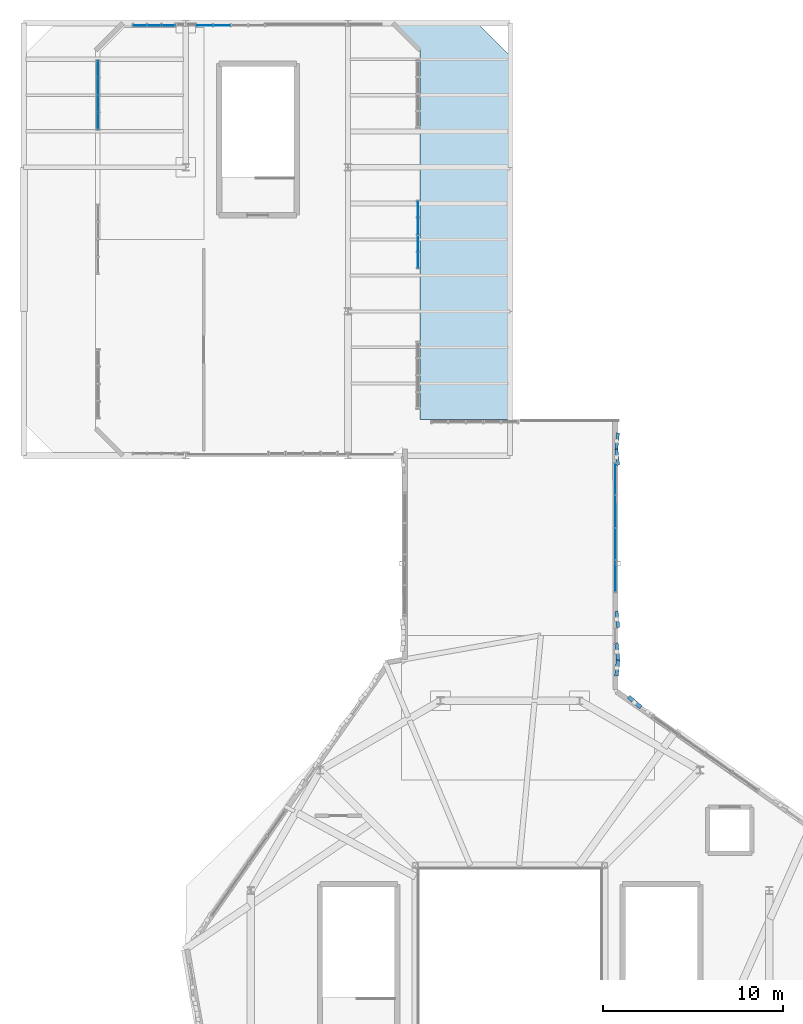
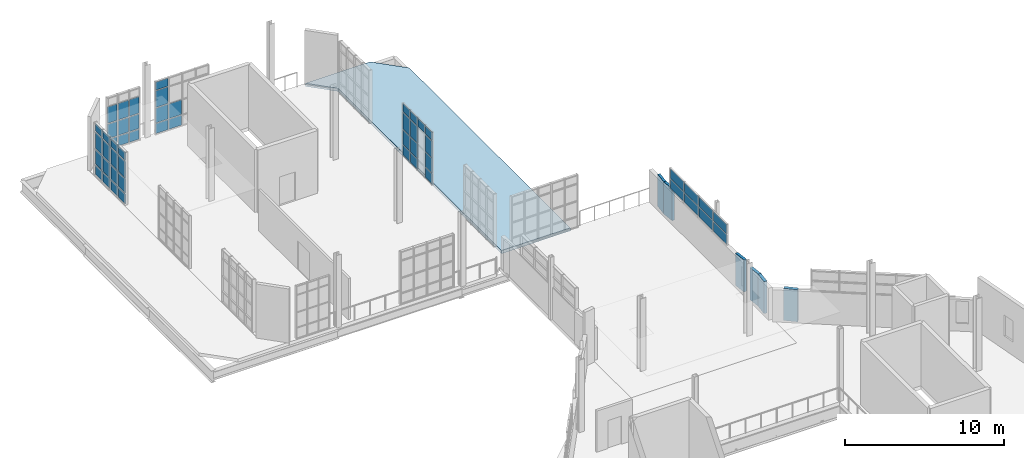
# One storey, part 30 of 36: 58 plates, 1 slab, 5 elements without a shape of their own.
"""IFC4 building model written with IfcOpenShell, lengths in metres."""

from ifc_helpers import new_model, si_unit, direction, frame, frame_2d, origin, origin_2d, place, context, subcontext, project, spatial, polyline, rectangle, outline, extrude, material, layer, layer_set, type_object, element, aggregate, save


model = new_model("IFC4")

# Units and contexts
model_context = context("Model", 3, precision=1e-05, world=origin(), true_north=direction((0.0, 1.0)))
body_context = subcontext(model_context, "Body", "Model", "MODEL_VIEW")
ifc_project = project(units=[si_unit("LENGTHUNIT", "METRE"), si_unit("AREAUNIT", "SQUARE_METRE"), si_unit("VOLUMEUNIT", "CUBIC_METRE"), si_unit("PLANEANGLEUNIT", "RADIAN"), si_unit("MASSUNIT", "GRAM", prefix="KILO"), si_unit("THERMODYNAMICTEMPERATUREUNIT", "KELVIN"), si_unit("POWERUNIT", "WATT")], contexts=[model_context])

# Site, building, storey
site_placement = place(None, origin())
site = spatial("IfcSite", under=ifc_project, at=site_placement, CompositionType="ELEMENT")
building_placement = place(site_placement, origin())
building = spatial("IfcBuilding", under=site, at=building_placement, Name="Zelmaris Science Centre", CompositionType="ELEMENT")
storey_placement = place(building_placement, frame((0.0, 0.0, 25.199951171875)))
storey = spatial("IfcBuildingStorey", under=building, at=storey_placement, Name="L05", CompositionType="ELEMENT", Elevation=25.199951171875)

# Curtain wall, plates
ifc_material_1 = material(Name="Anodised architectural aluminium 6063-T6", Category="aluminium")
ifc_layer_1 = layer(ifc_material_1, 0.18994140625, Name="Anodised architectural aluminium 6063-T6")
ifc_layer_set_1 = layer_set([ifc_layer_1], Name="Anodised architectural aluminium 6063-T6")
curtain_wall_type_1 = type_object("IfcCurtainWallType", Name="Curtain Wall CW-01", PredefinedType="USERDEFINED", material=ifc_layer_set_1)
curtain_wall_1_placement = place(storey_placement, origin())
curtain_wall_1 = element("IfcCurtainWall", 1, at=curtain_wall_1_placement, inside=storey, type_object=curtain_wall_type_1, Name="L05 Unitised curtain wall 381", ObjectType="GLAZED CURTAIN WALL", PredefinedType="USERDEFINED")
ifc_material_2 = material(Name="Laminated hurricane-rated low-E insulated glazing", Category="glass")
ifc_layer_2 = layer(ifc_material_2, 0.031982421875, Name="Laminated hurricane-rated low-E insulated glazing")
ifc_layer_set_2 = layer_set([ifc_layer_2], Name="Laminated hurricane-rated low-E insulated glazing")
plate_type_1 = type_object("IfcPlateType", Name="Curtain Glazing Panel CWP-1 32mm", PredefinedType="CURTAIN_PANEL", material=ifc_layer_set_2)
plate_1_placement = place(storey_placement, frame((58.1201171875, 82.57470703125, 0.05712890625), z_axis=(0.0, 0.0, 1.0), x_axis=(0.0, 1.0, 0.0)))
plate_1 = element("IfcPlate", 2, at=plate_1_placement, type_object=plate_type_1, Name="CW-01 panel 1.1", PredefinedType="CURTAIN_PANEL", context=body_context, shape_type="SweptSolid", body=[
    extrude(rectangle(XDim=0.864013671875, YDim=0.031982421875, at=origin_2d()), origin(), (0.0, 0.0, 1.0), 0.741943359375),
])
plate_2_placement = place(storey_placement, frame((58.1201171875, 82.57470703125, 0.87109375), z_axis=(0.0, 0.0, 1.0), x_axis=(0.0, 1.0, 0.0)))
plate_2 = element("IfcPlate", 3, at=plate_2_placement, type_object=plate_type_1, Name="CW-01 panel 1.2", PredefinedType="CURTAIN_PANEL", context=body_context, shape_type="SweptSolid", body=[
    extrude(rectangle(XDim=0.864013671875, YDim=0.031982421875, at=origin_2d()), origin(), (0.0, 0.0, 1.0), 1.10546875),
])
plate_3_placement = place(storey_placement, frame((58.1201171875, 82.57470703125, 2.04833984375), z_axis=(0.0, 0.0, 1.0), x_axis=(0.0, 1.0, 0.0)))
plate_3 = element("IfcPlate", 4, at=plate_3_placement, type_object=plate_type_1, Name="CW-01 panel 1.3", PredefinedType="CURTAIN_PANEL", context=body_context, shape_type="SweptSolid", body=[
    extrude(rectangle(XDim=0.864013671875, YDim=0.031982421875, at=origin_2d()), origin(), (0.0, 0.0, 1.0), 1.255615234375),
])
plate_4_placement = place(storey_placement, frame((58.1201171875, 82.57470703125, 3.3759765625), z_axis=(0.0, 0.0, 1.0), x_axis=(0.0, 1.0, 0.0)))
plate_4 = element("IfcPlate", 5, at=plate_4_placement, type_object=plate_type_1, Name="CW-01 panel 1.4", PredefinedType="CURTAIN_PANEL", context=body_context, shape_type="SweptSolid", body=[
    extrude(rectangle(XDim=0.864013671875, YDim=0.031982421875, at=origin_2d()), origin(), (0.0, 0.0, 1.0), 0.592041015625),
])
plate_5_placement = place(storey_placement, frame((58.1201171875, 83.52880859375, 0.05712890625), z_axis=(0.0, 0.0, 1.0), x_axis=(0.0, 1.0, 0.0)))
plate_5 = element("IfcPlate", 6, at=plate_5_placement, type_object=plate_type_1, Name="CW-01 panel 2.1", PredefinedType="CURTAIN_PANEL", context=body_context, shape_type="SweptSolid", body=[
    extrude(rectangle(XDim=0.89990234375, YDim=0.031982421875, at=origin_2d()), origin(), (0.0, 0.0, 1.0), 0.741943359375),
])
plate_6_placement = place(storey_placement, frame((58.1201171875, 83.52880859375, 0.87109375), z_axis=(0.0, 0.0, 1.0), x_axis=(0.0, 1.0, 0.0)))
plate_6 = element("IfcPlate", 7, at=plate_6_placement, type_object=plate_type_1, Name="CW-01 panel 2.2", PredefinedType="CURTAIN_PANEL", context=body_context, shape_type="SweptSolid", body=[
    extrude(rectangle(XDim=0.89990234375, YDim=0.031982421875, at=origin_2d()), origin(), (0.0, 0.0, 1.0), 1.10546875),
])
plate_7_placement = place(storey_placement, frame((58.1201171875, 83.52880859375, 2.04833984375), z_axis=(0.0, 0.0, 1.0), x_axis=(0.0, 1.0, 0.0)))
plate_7 = element("IfcPlate", 8, at=plate_7_placement, type_object=plate_type_1, Name="CW-01 panel 2.3", PredefinedType="CURTAIN_PANEL", context=body_context, shape_type="SweptSolid", body=[
    extrude(rectangle(XDim=0.89990234375, YDim=0.031982421875, at=origin_2d()), origin(), (0.0, 0.0, 1.0), 1.255615234375),
])
plate_8_placement = place(storey_placement, frame((58.1201171875, 83.52880859375, 3.3759765625), z_axis=(0.0, 0.0, 1.0), x_axis=(0.0, 1.0, 0.0)))
plate_8 = element("IfcPlate", 9, at=plate_8_placement, type_object=plate_type_1, Name="CW-01 panel 2.4", PredefinedType="CURTAIN_PANEL", context=body_context, shape_type="SweptSolid", body=[
    extrude(rectangle(XDim=0.89990234375, YDim=0.031982421875, at=origin_2d()), origin(), (0.0, 0.0, 1.0), 0.592041015625),
])
plate_9_placement = place(storey_placement, frame((58.1201171875, 84.500732421875, 0.05712890625), z_axis=(0.0, 0.0, 1.0), x_axis=(0.0, 1.0, 0.0)))
plate_9 = element("IfcPlate", 10, at=plate_9_placement, type_object=plate_type_1, Name="CW-01 panel 3.1", PredefinedType="CURTAIN_PANEL", context=body_context, shape_type="SweptSolid", body=[
    extrude(rectangle(XDim=0.89990234375, YDim=0.031982421875, at=origin_2d()), origin(), (0.0, 0.0, 1.0), 0.741943359375),
])
plate_10_placement = place(storey_placement, frame((58.1201171875, 84.500732421875, 0.87109375), z_axis=(0.0, 0.0, 1.0), x_axis=(0.0, 1.0, 0.0)))
plate_10 = element("IfcPlate", 11, at=plate_10_placement, type_object=plate_type_1, Name="CW-01 panel 3.2", PredefinedType="CURTAIN_PANEL", context=body_context, shape_type="SweptSolid", body=[
    extrude(rectangle(XDim=0.89990234375, YDim=0.031982421875, at=origin_2d()), origin(), (0.0, 0.0, 1.0), 1.10546875),
])
plate_11_placement = place(storey_placement, frame((58.1201171875, 84.500732421875, 2.04833984375), z_axis=(0.0, 0.0, 1.0), x_axis=(0.0, 1.0, 0.0)))
plate_11 = element("IfcPlate", 12, at=plate_11_placement, type_object=plate_type_1, Name="CW-01 panel 3.3", PredefinedType="CURTAIN_PANEL", context=body_context, shape_type="SweptSolid", body=[
    extrude(rectangle(XDim=0.89990234375, YDim=0.031982421875, at=origin_2d()), origin(), (0.0, 0.0, 1.0), 1.255615234375),
])
plate_12_placement = place(storey_placement, frame((58.1201171875, 84.500732421875, 3.3759765625), z_axis=(0.0, 0.0, 1.0), x_axis=(0.0, 1.0, 0.0)))
plate_12 = element("IfcPlate", 13, at=plate_12_placement, type_object=plate_type_1, Name="CW-01 panel 3.4", PredefinedType="CURTAIN_PANEL", context=body_context, shape_type="SweptSolid", body=[
    extrude(rectangle(XDim=0.89990234375, YDim=0.031982421875, at=origin_2d()), origin(), (0.0, 0.0, 1.0), 0.592041015625),
])
plate_13_placement = place(storey_placement, frame((58.1201171875, 85.45458984375, 0.05712890625), z_axis=(0.0, 0.0, 1.0), x_axis=(0.0, 1.0, 0.0)))
plate_13 = element("IfcPlate", 14, at=plate_13_placement, type_object=plate_type_1, Name="CW-01 panel 4.1", PredefinedType="CURTAIN_PANEL", context=body_context, shape_type="SweptSolid", body=[
    extrude(rectangle(XDim=0.864013671875, YDim=0.031982421875, at=origin_2d()), origin(), (0.0, 0.0, 1.0), 0.741943359375),
])
plate_14_placement = place(storey_placement, frame((58.1201171875, 85.45458984375, 0.87109375), z_axis=(0.0, 0.0, 1.0), x_axis=(0.0, 1.0, 0.0)))
plate_14 = element("IfcPlate", 15, at=plate_14_placement, type_object=plate_type_1, Name="CW-01 panel 4.2", PredefinedType="CURTAIN_PANEL", context=body_context, shape_type="SweptSolid", body=[
    extrude(rectangle(XDim=0.864013671875, YDim=0.031982421875, at=origin_2d()), origin(), (0.0, 0.0, 1.0), 1.10546875),
])
plate_15_placement = place(storey_placement, frame((58.1201171875, 85.45458984375, 2.04833984375), z_axis=(0.0, 0.0, 1.0), x_axis=(0.0, 1.0, 0.0)))
plate_15 = element("IfcPlate", 16, at=plate_15_placement, type_object=plate_type_1, Name="CW-01 panel 4.3", PredefinedType="CURTAIN_PANEL", context=body_context, shape_type="SweptSolid", body=[
    extrude(rectangle(XDim=0.864013671875, YDim=0.031982421875, at=origin_2d()), origin(), (0.0, 0.0, 1.0), 1.255615234375),
])
plate_16_placement = place(storey_placement, frame((58.1201171875, 85.45458984375, 3.3759765625), z_axis=(0.0, 0.0, 1.0), x_axis=(0.0, 1.0, 0.0)))
plate_16 = element("IfcPlate", 17, at=plate_16_placement, type_object=plate_type_1, Name="CW-01 panel 4.4", PredefinedType="CURTAIN_PANEL", context=body_context, shape_type="SweptSolid", body=[
    extrude(rectangle(XDim=0.864013671875, YDim=0.031982421875, at=origin_2d()), origin(), (0.0, 0.0, 1.0), 0.592041015625),
])
aggregate(curtain_wall_1, [plate_1, plate_2, plate_3, plate_4, plate_5, plate_6, plate_7, plate_8, plate_9, plate_10, plate_11, plate_12, plate_13, plate_14, plate_15, plate_16])

ifc_layer_3 = layer(ifc_material_1, 0.199951171875, Name="Anodised architectural aluminium 6063-T6")
ifc_layer_set_3 = layer_set([ifc_layer_3], Name="Anodised architectural aluminium 6063-T6")
curtain_wall_type_2 = type_object("IfcCurtainWallType", Name="Curtain Wall CW-02", PredefinedType="USERDEFINED", material=ifc_layer_set_3)
curtain_wall_2_placement = place(storey_placement, origin())
curtain_wall_2 = element("IfcCurtainWall", 18, at=curtain_wall_2_placement, inside=storey, type_object=curtain_wall_type_2, Name="L05 Unitised curtain wall 358", ObjectType="GLAZED CURTAIN WALL", PredefinedType="USERDEFINED")
ifc_layer_4 = layer(ifc_material_2, 0.028076171875, Name="Laminated hurricane-rated low-E insulated glazing")
ifc_layer_set_4 = layer_set([ifc_layer_4], Name="Laminated hurricane-rated low-E insulated glazing")
plate_type_2 = type_object("IfcPlateType", Name="Curtain Glazing Panel CWP-2 28mm", PredefinedType="CURTAIN_PANEL", material=ifc_layer_set_4)
plate_17_placement = place(storey_placement, frame((60.46142578125, 87.8798828125, 0.052001953125), z_axis=(0.0, 0.0, 1.0), x_axis=(1.0, 0.0, 0.0)))
plate_17 = element("IfcPlate", 19, at=plate_17_placement, type_object=plate_type_2, Name="CW-02 panel 1.1", PredefinedType="CURTAIN_PANEL", context=body_context, shape_type="SweptSolid", body=[
    extrude(rectangle(XDim=0.70556640625, YDim=0.028076171875, at=origin_2d()), origin(), (0.0, 0.0, 1.0), 0.74951171875),
])
plate_18_placement = place(storey_placement, frame((60.46142578125, 87.8798828125, 0.86865234375), z_axis=(0.0, 0.0, 1.0), x_axis=(1.0, 0.0, 0.0)))
plate_18 = element("IfcPlate", 20, at=plate_18_placement, type_object=plate_type_2, Name="CW-02 panel 1.2", PredefinedType="CURTAIN_PANEL", context=body_context, shape_type="SweptSolid", body=[
    extrude(rectangle(XDim=0.70556640625, YDim=0.028076171875, at=origin_2d()), origin(), (0.0, 0.0, 1.0), 1.110595703125),
])
plate_19_placement = place(storey_placement, frame((60.46142578125, 87.8798828125, 2.0458984375), z_axis=(0.0, 0.0, 1.0), x_axis=(1.0, 0.0, 0.0)))
plate_19 = element("IfcPlate", 21, at=plate_19_placement, type_object=plate_type_2, Name="CW-02 panel 1.3", PredefinedType="CURTAIN_PANEL", context=body_context, shape_type="SweptSolid", body=[
    extrude(rectangle(XDim=0.70556640625, YDim=0.028076171875, at=origin_2d()), origin(), (0.0, 0.0, 1.0), 1.260498046875),
])
plate_20_placement = place(storey_placement, frame((61.250732421875, 87.8798828125, 0.052001953125), z_axis=(0.0, 0.0, 1.0), x_axis=(1.0, 0.0, 0.0)))
plate_20 = element("IfcPlate", 22, at=plate_20_placement, type_object=plate_type_2, Name="CW-02 panel 2.1", PredefinedType="CURTAIN_PANEL", context=body_context, shape_type="SweptSolid", body=[
    extrude(rectangle(XDim=0.7392578125, YDim=0.028076171875, at=origin_2d()), origin(), (0.0, 0.0, 1.0), 0.74951171875),
])
plate_21_placement = place(storey_placement, frame((61.250732421875, 87.8798828125, 0.86865234375), z_axis=(0.0, 0.0, 1.0), x_axis=(1.0, 0.0, 0.0)))
plate_21 = element("IfcPlate", 23, at=plate_21_placement, type_object=plate_type_2, Name="CW-02 panel 2.2", PredefinedType="CURTAIN_PANEL", context=body_context, shape_type="SweptSolid", body=[
    extrude(rectangle(XDim=0.7392578125, YDim=0.028076171875, at=origin_2d()), origin(), (0.0, 0.0, 1.0), 1.110595703125),
])
plate_22_placement = place(storey_placement, frame((61.250732421875, 87.8798828125, 2.0458984375), z_axis=(0.0, 0.0, 1.0), x_axis=(1.0, 0.0, 0.0)))
plate_22 = element("IfcPlate", 24, at=plate_22_placement, type_object=plate_type_2, Name="CW-02 panel 2.3", PredefinedType="CURTAIN_PANEL", context=body_context, shape_type="SweptSolid", body=[
    extrude(rectangle(XDim=0.7392578125, YDim=0.028076171875, at=origin_2d()), origin(), (0.0, 0.0, 1.0), 1.260498046875),
])
plate_23_placement = place(storey_placement, frame((62.040283203125, 87.8798828125, 0.052001953125), z_axis=(0.0, 0.0, 1.0), x_axis=(1.0, 0.0, 0.0)))
plate_23 = element("IfcPlate", 25, at=plate_23_placement, type_object=plate_type_2, Name="CW-02 panel 3.1", PredefinedType="CURTAIN_PANEL", context=body_context, shape_type="SweptSolid", body=[
    extrude(rectangle(XDim=0.70556640625, YDim=0.028076171875, at=origin_2d()), origin(), (0.0, 0.0, 1.0), 0.74951171875),
])
plate_24_placement = place(storey_placement, frame((62.040283203125, 87.8798828125, 0.86865234375), z_axis=(0.0, 0.0, 1.0), x_axis=(1.0, 0.0, 0.0)))
plate_24 = element("IfcPlate", 26, at=plate_24_placement, type_object=plate_type_2, Name="CW-02 panel 3.2", PredefinedType="CURTAIN_PANEL", context=body_context, shape_type="SweptSolid", body=[
    extrude(rectangle(XDim=0.70556640625, YDim=0.028076171875, at=origin_2d()), origin(), (0.0, 0.0, 1.0), 1.110595703125),
])
plate_25_placement = place(storey_placement, frame((62.040283203125, 87.8798828125, 2.0458984375), z_axis=(0.0, 0.0, 1.0), x_axis=(1.0, 0.0, 0.0)))
plate_25 = element("IfcPlate", 27, at=plate_25_placement, type_object=plate_type_2, Name="CW-02 panel 3.3", PredefinedType="CURTAIN_PANEL", context=body_context, shape_type="SweptSolid", body=[
    extrude(rectangle(XDim=0.70556640625, YDim=0.028076171875, at=origin_2d()), origin(), (0.0, 0.0, 1.0), 1.260498046875),
])
aggregate(curtain_wall_2, [plate_17, plate_18, plate_19, plate_20, plate_21, plate_22, plate_23, plate_24, plate_25])

ifc_layer_5 = layer(ifc_material_1, 0.2099609375, Name="Anodised architectural aluminium 6063-T6")
ifc_layer_set_5 = layer_set([ifc_layer_5], Name="Anodised architectural aluminium 6063-T6")
curtain_wall_type_3 = type_object("IfcCurtainWallType", Name="Curtain Wall CW-03", PredefinedType="USERDEFINED", material=ifc_layer_set_5)
curtain_wall_3_placement = place(storey_placement, origin())
curtain_wall_3 = element("IfcCurtainWall", 28, at=curtain_wall_3_placement, inside=storey, type_object=curtain_wall_type_3, Name="L05 Unitised curtain wall 359", ObjectType="GLAZED CURTAIN WALL", PredefinedType="USERDEFINED")
ifc_layer_6 = layer(ifc_material_2, 0.02587890625, Name="Laminated hurricane-rated low-E insulated glazing")
ifc_layer_set_6 = layer_set([ifc_layer_6], Name="Laminated hurricane-rated low-E insulated glazing")
plate_type_3 = type_object("IfcPlateType", Name="Curtain Glazing Panel CWP-3 26mm", PredefinedType="CURTAIN_PANEL", material=ifc_layer_set_6)
plate_26_placement = place(storey_placement, frame((64.041748046875, 87.8798828125, 0.0419921875), z_axis=(0.0, 0.0, 1.0), x_axis=(1.0, 0.0, 0.0)))
plate_26 = element("IfcPlate", 29, at=plate_26_placement, type_object=plate_type_3, Name="CW-03 panel 1.1", PredefinedType="CURTAIN_PANEL", context=body_context, shape_type="SweptSolid", body=[
    extrude(rectangle(XDim=0.889404296875, YDim=0.02587890625, at=origin_2d()), origin(), (0.0, 0.0, 1.0), 0.764404296875),
])
plate_27_placement = place(storey_placement, frame((64.041748046875, 87.8798828125, 0.863525390625), z_axis=(0.0, 0.0, 1.0), x_axis=(1.0, 0.0, 0.0)))
plate_27 = element("IfcPlate", 30, at=plate_27_placement, type_object=plate_type_3, Name="CW-03 panel 1.2", PredefinedType="CURTAIN_PANEL", context=body_context, shape_type="SweptSolid", body=[
    extrude(rectangle(XDim=0.889404296875, YDim=0.02587890625, at=origin_2d()), origin(), (0.0, 0.0, 1.0), 1.12060546875),
])
plate_28_placement = place(storey_placement, frame((64.041748046875, 87.8798828125, 2.041015625), z_axis=(0.0, 0.0, 1.0), x_axis=(1.0, 0.0, 0.0)))
plate_28 = element("IfcPlate", 31, at=plate_28_placement, type_object=plate_type_3, Name="CW-03 panel 1.3", PredefinedType="CURTAIN_PANEL", context=body_context, shape_type="SweptSolid", body=[
    extrude(rectangle(XDim=0.889404296875, YDim=0.02587890625, at=origin_2d()), origin(), (0.0, 0.0, 1.0), 1.2705078125),
])
plate_29_placement = place(storey_placement, frame((64.041748046875, 87.8798828125, 3.36865234375), z_axis=(0.0, 0.0, 1.0), x_axis=(1.0, 0.0, 0.0)))
plate_29 = element("IfcPlate", 32, at=plate_29_placement, type_object=plate_type_3, Name="CW-03 panel 1.4", PredefinedType="CURTAIN_PANEL", context=body_context, shape_type="SweptSolid", body=[
    extrude(rectangle(XDim=0.889404296875, YDim=0.02587890625, at=origin_2d()), origin(), (0.0, 0.0, 1.0), 0.614501953125),
])
plate_30_placement = place(storey_placement, frame((65.00244140625, 87.8798828125, 0.0419921875), z_axis=(0.0, 0.0, 1.0), x_axis=(1.0, 0.0, 0.0)))
plate_30 = element("IfcPlate", 33, at=plate_30_placement, type_object=plate_type_3, Name="CW-03 panel 2.1", PredefinedType="CURTAIN_PANEL", context=body_context, shape_type="SweptSolid", body=[
    extrude(rectangle(XDim=0.91796875, YDim=0.02587890625, at=origin_2d()), origin(), (0.0, 0.0, 1.0), 0.764404296875),
])
plate_31_placement = place(storey_placement, frame((65.00244140625, 87.8798828125, 0.863525390625), z_axis=(0.0, 0.0, 1.0), x_axis=(1.0, 0.0, 0.0)))
plate_31 = element("IfcPlate", 34, at=plate_31_placement, type_object=plate_type_3, Name="CW-03 panel 2.2", PredefinedType="CURTAIN_PANEL", context=body_context, shape_type="SweptSolid", body=[
    extrude(rectangle(XDim=0.91796875, YDim=0.02587890625, at=origin_2d()), origin(), (0.0, 0.0, 1.0), 1.12060546875),
])
aggregate(curtain_wall_3, [plate_26, plate_27, plate_28, plate_29, plate_30, plate_31])

curtain_wall_4_placement = place(storey_placement, origin())
curtain_wall_4 = element("IfcCurtainWall", 35, at=curtain_wall_4_placement, inside=storey, type_object=curtain_wall_type_3, Name="L05 Unitised curtain wall 363", ObjectType="GLAZED CURTAIN WALL", PredefinedType="USERDEFINED")
plate_32_placement = place(storey_placement, frame((75.882568359375, 77.67041015625, 0.0419921875), z_axis=(0.0, 0.0, 1.0), x_axis=(0.00039662601, -0.999999921344, 0.0)))
plate_32 = element("IfcPlate", 36, at=plate_32_placement, type_object=plate_type_3, Name="CW-03 panel 1.1", PredefinedType="CURTAIN_PANEL", context=body_context, shape_type="SweptSolid", body=[
    extrude(rectangle(XDim=0.85986328125, YDim=0.02587890625, at=origin_2d()), origin(), (0.0, 0.0, 1.0), 0.764404296875),
])
plate_33_placement = place(storey_placement, frame((75.882568359375, 77.67041015625, 0.863525390625), z_axis=(0.0, 0.0, 1.0), x_axis=(0.00039662601, -0.999999921344, 0.0)))
plate_33 = element("IfcPlate", 37, at=plate_33_placement, type_object=plate_type_3, Name="CW-03 panel 1.2", PredefinedType="CURTAIN_PANEL", context=body_context, shape_type="SweptSolid", body=[
    extrude(rectangle(XDim=0.85986328125, YDim=0.02587890625, at=origin_2d()), origin(), (0.0, 0.0, 1.0), 1.12060546875),
])
plate_34_placement = place(storey_placement, frame((75.882568359375, 77.67041015625, 2.041015625), z_axis=(0.0, 0.0, 1.0), x_axis=(0.00039662601, -0.999999921344, 0.0)))
plate_34 = element("IfcPlate", 38, at=plate_34_placement, type_object=plate_type_3, Name="CW-03 panel 1.3", PredefinedType="CURTAIN_PANEL", context=body_context, shape_type="SweptSolid", body=[
    extrude(rectangle(XDim=0.85986328125, YDim=0.02587890625, at=origin_2d()), origin(), (0.0, 0.0, 1.0), 1.2705078125),
])
plate_35_placement = place(storey_placement, frame((75.882568359375, 77.67041015625, 3.36865234375), z_axis=(0.0, 0.0, 1.0), x_axis=(0.00039662601, -0.999999921344, 0.0)))
plate_35 = element("IfcPlate", 39, at=plate_35_placement, type_object=plate_type_3, Name="CW-03 panel 1.4", PredefinedType="CURTAIN_PANEL", context=body_context, shape_type="SweptSolid", body=[
    extrude(rectangle(XDim=0.85986328125, YDim=0.02587890625, at=origin_2d()), origin(), (0.0, 0.0, 1.0), 0.614501953125),
])
plate_36_placement = place(storey_placement, frame((75.8828125, 76.739013671875, 0.0419921875), z_axis=(0.0, 0.0, 1.0), x_axis=(0.00039662601, -0.999999921344, 0.0)))
plate_36 = element("IfcPlate", 40, at=plate_36_placement, type_object=plate_type_3, Name="CW-03 panel 2.1", PredefinedType="CURTAIN_PANEL", context=body_context, shape_type="SweptSolid", body=[
    extrude(rectangle(XDim=0.888427734375, YDim=0.02587890625, at=origin_2d()), origin(), (0.0, 0.0, 1.0), 0.764404296875),
])
plate_37_placement = place(storey_placement, frame((75.8828125, 76.739013671875, 0.863525390625), z_axis=(0.0, 0.0, 1.0), x_axis=(0.00039662601, -0.999999921344, 0.0)))
plate_37 = element("IfcPlate", 41, at=plate_37_placement, type_object=plate_type_3, Name="CW-03 panel 2.2", PredefinedType="CURTAIN_PANEL", context=body_context, shape_type="SweptSolid", body=[
    extrude(rectangle(XDim=0.888427734375, YDim=0.02587890625, at=origin_2d()), origin(), (0.0, 0.0, 1.0), 1.12060546875),
])
plate_38_placement = place(storey_placement, frame((75.8828125, 76.739013671875, 2.041015625), z_axis=(0.0, 0.0, 1.0), x_axis=(0.00039662601, -0.999999921344, 0.0)))
plate_38 = element("IfcPlate", 42, at=plate_38_placement, type_object=plate_type_3, Name="CW-03 panel 2.3", PredefinedType="CURTAIN_PANEL", context=body_context, shape_type="SweptSolid", body=[
    extrude(rectangle(XDim=0.888427734375, YDim=0.02587890625, at=origin_2d()), origin(), (0.0, 0.0, 1.0), 1.2705078125),
])
plate_39_placement = place(storey_placement, frame((75.8828125, 76.739013671875, 3.36865234375), z_axis=(0.0, 0.0, 1.0), x_axis=(0.00039662601, -0.999999921344, 0.0)))
plate_39 = element("IfcPlate", 43, at=plate_39_placement, type_object=plate_type_3, Name="CW-03 panel 2.4", PredefinedType="CURTAIN_PANEL", context=body_context, shape_type="SweptSolid", body=[
    extrude(rectangle(XDim=0.888427734375, YDim=0.02587890625, at=origin_2d()), origin(), (0.0, 0.0, 1.0), 0.614501953125),
])
plate_40_placement = place(storey_placement, frame((75.88330078125, 75.793701171875, 3.36865234375), z_axis=(0.0, 0.0, 1.0), x_axis=(0.00039662601, -0.999999921344, 0.0)))
plate_40 = element("IfcPlate", 44, at=plate_40_placement, type_object=plate_type_3, Name="CW-03 panel 3.4", PredefinedType="CURTAIN_PANEL", context=body_context, shape_type="SweptSolid", body=[
    extrude(rectangle(XDim=0.888427734375, YDim=0.02587890625, at=origin_2d()), origin(), (0.0, 0.0, 1.0), 0.614501953125),
])
plate_41_placement = place(storey_placement, frame((75.883544921875, 74.8623046875, 0.0419921875), z_axis=(0.0, 0.0, 1.0), x_axis=(0.00039662601, -0.999999921344, 0.0)))
plate_41 = element("IfcPlate", 45, at=plate_41_placement, type_object=plate_type_3, Name="CW-03 panel 4.1", PredefinedType="CURTAIN_PANEL", context=body_context, shape_type="SweptSolid", body=[
    extrude(rectangle(XDim=0.85986328125, YDim=0.02587890625, at=origin_2d()), origin(), (0.0, 0.0, 1.0), 0.764404296875),
])
plate_42_placement = place(storey_placement, frame((75.883544921875, 74.8623046875, 0.863525390625), z_axis=(0.0, 0.0, 1.0), x_axis=(0.00039662601, -0.999999921344, 0.0)))
plate_42 = element("IfcPlate", 46, at=plate_42_placement, type_object=plate_type_3, Name="CW-03 panel 4.2", PredefinedType="CURTAIN_PANEL", context=body_context, shape_type="SweptSolid", body=[
    extrude(rectangle(XDim=0.85986328125, YDim=0.02587890625, at=origin_2d()), origin(), (0.0, 0.0, 1.0), 1.12060546875),
])
plate_43_placement = place(storey_placement, frame((75.883544921875, 74.8623046875, 2.041015625), z_axis=(0.0, 0.0, 1.0), x_axis=(0.00039662601, -0.999999921344, 0.0)))
plate_43 = element("IfcPlate", 47, at=plate_43_placement, type_object=plate_type_3, Name="CW-03 panel 4.3", PredefinedType="CURTAIN_PANEL", context=body_context, shape_type="SweptSolid", body=[
    extrude(rectangle(XDim=0.85986328125, YDim=0.02587890625, at=origin_2d()), origin(), (0.0, 0.0, 1.0), 1.2705078125),
])
plate_44_placement = place(storey_placement, frame((75.883544921875, 74.8623046875, 3.36865234375), z_axis=(0.0, 0.0, 1.0), x_axis=(0.00039662601, -0.999999921344, 0.0)))
plate_44 = element("IfcPlate", 48, at=plate_44_placement, type_object=plate_type_3, Name="CW-03 panel 4.4", PredefinedType="CURTAIN_PANEL", context=body_context, shape_type="SweptSolid", body=[
    extrude(rectangle(XDim=0.85986328125, YDim=0.02587890625, at=origin_2d()), origin(), (0.0, 0.0, 1.0), 0.614501953125),
])
aggregate(curtain_wall_4, [plate_32, plate_33, plate_34, plate_35, plate_36, plate_37, plate_38, plate_39, plate_40, plate_41, plate_42, plate_43, plate_44])

ifc_layer_7 = layer(ifc_material_1, 0.219970703125, Name="Anodised architectural aluminium 6063-T6")
ifc_layer_set_7 = layer_set([ifc_layer_7], Name="Anodised architectural aluminium 6063-T6")
curtain_wall_type_4 = type_object("IfcCurtainWallType", Name="Curtain Wall CW-04", PredefinedType="USERDEFINED", material=ifc_layer_set_7)
curtain_wall_5_placement = place(storey_placement, origin())
curtain_wall_5 = element("IfcCurtainWall", 49, at=curtain_wall_5_placement, inside=storey, type_object=curtain_wall_type_4, Name="L05 Clerestory curtain wall 368", ObjectType="GLAZED CURTAIN WALL", PredefinedType="USERDEFINED")
ifc_layer_8 = layer(ifc_material_2, 0.02392578125, Name="Laminated hurricane-rated low-E insulated glazing")
ifc_layer_set_8 = layer_set([ifc_layer_8], Name="Laminated hurricane-rated low-E insulated glazing")
plate_type_4 = type_object("IfcPlateType", Name="Curtain Glazing Panel CWP-4 24mm", PredefinedType="CURTAIN_PANEL", material=ifc_layer_set_8)
plate_45_placement = place(storey_placement, frame((86.84130859375, 62.68701171875, 2.47216796875), z_axis=(0.0, 0.0, 1.0), x_axis=(0.000457250836, -0.999999895461, 0.0)))
plate_45 = element("IfcPlate", 50, at=plate_45_placement, type_object=plate_type_4, Name="CW-04 panel 1.1", PredefinedType="CURTAIN_PANEL", context=body_context, shape_type="SweptSolid", body=[
    extrude(rectangle(XDim=1.721923828125, YDim=0.02392578125, at=origin_2d()), origin(), (0.0, 0.0, 1.0), 0.73193359375),
])
plate_46_placement = place(storey_placement, frame((86.84130859375, 62.68701171875, 3.256103515625), z_axis=(0.0, 0.0, 1.0), x_axis=(0.000457250836, -0.999999895461, 0.0)))
plate_46 = element("IfcPlate", 51, at=plate_46_placement, type_object=plate_type_4, Name="CW-04 panel 1.2", PredefinedType="CURTAIN_PANEL", context=body_context, shape_type="SweptSolid", body=[
    extrude(rectangle(XDim=1.721923828125, YDim=0.02392578125, at=origin_2d()), origin(), (0.0, 0.0, 1.0), 0.73193359375),
])
plate_47_placement = place(storey_placement, frame((86.84228515625, 60.89990234375, 2.47216796875), z_axis=(0.0, 0.0, 1.0), x_axis=(0.000457250836, -0.999999895461, 0.0)))
plate_47 = element("IfcPlate", 52, at=plate_47_placement, type_object=plate_type_4, Name="CW-04 panel 2.1", PredefinedType="CURTAIN_PANEL", context=body_context, shape_type="SweptSolid", body=[
    extrude(rectangle(XDim=1.748046875, YDim=0.02392578125, at=origin_2d()), origin(), (0.0, 0.0, 1.0), 0.73193359375),
])
plate_48_placement = place(storey_placement, frame((86.84228515625, 60.89990234375, 3.256103515625), z_axis=(0.0, 0.0, 1.0), x_axis=(0.000457250836, -0.999999895461, 0.0)))
plate_48 = element("IfcPlate", 53, at=plate_48_placement, type_object=plate_type_4, Name="CW-04 panel 2.2", PredefinedType="CURTAIN_PANEL", context=body_context, shape_type="SweptSolid", body=[
    extrude(rectangle(XDim=1.748046875, YDim=0.02392578125, at=origin_2d()), origin(), (0.0, 0.0, 1.0), 0.73193359375),
])
plate_49_placement = place(storey_placement, frame((86.843017578125, 59.099853515625, 2.47216796875), z_axis=(0.0, 0.0, 1.0), x_axis=(0.000457250836, -0.999999895461, 0.0)))
plate_49 = element("IfcPlate", 54, at=plate_49_placement, type_object=plate_type_4, Name="CW-04 panel 3.1", PredefinedType="CURTAIN_PANEL", context=body_context, shape_type="SweptSolid", body=[
    extrude(rectangle(XDim=1.748046875, YDim=0.02392578125, at=origin_2d()), origin(), (0.0, 0.0, 1.0), 0.73193359375),
])
plate_50_placement = place(storey_placement, frame((86.843017578125, 59.099853515625, 3.256103515625), z_axis=(0.0, 0.0, 1.0), x_axis=(0.000457250836, -0.999999895461, 0.0)))
plate_50 = element("IfcPlate", 55, at=plate_50_placement, type_object=plate_type_4, Name="CW-04 panel 3.2", PredefinedType="CURTAIN_PANEL", context=body_context, shape_type="SweptSolid", body=[
    extrude(rectangle(XDim=1.748046875, YDim=0.02392578125, at=origin_2d()), origin(), (0.0, 0.0, 1.0), 0.73193359375),
])
plate_51_placement = place(storey_placement, frame((86.843994140625, 57.31298828125, 2.47216796875), z_axis=(0.0, 0.0, 1.0), x_axis=(0.000457250836, -0.999999895461, 0.0)))
plate_51 = element("IfcPlate", 56, at=plate_51_placement, type_object=plate_type_4, Name="CW-04 panel 4.1", PredefinedType="CURTAIN_PANEL", context=body_context, shape_type="SweptSolid", body=[
    extrude(rectangle(XDim=1.721923828125, YDim=0.02392578125, at=origin_2d()), origin(), (0.0, 0.0, 1.0), 0.73193359375),
])
plate_52_placement = place(storey_placement, frame((86.843994140625, 57.31298828125, 3.256103515625), z_axis=(0.0, 0.0, 1.0), x_axis=(0.000457250836, -0.999999895461, 0.0)))
plate_52 = element("IfcPlate", 57, at=plate_52_placement, type_object=plate_type_4, Name="CW-04 panel 4.2", PredefinedType="CURTAIN_PANEL", context=body_context, shape_type="SweptSolid", body=[
    extrude(rectangle(XDim=1.721923828125, YDim=0.02392578125, at=origin_2d()), origin(), (0.0, 0.0, 1.0), 0.73193359375),
])
aggregate(curtain_wall_5, [plate_45, plate_46, plate_47, plate_48, plate_49, plate_50, plate_51, plate_52])

# Plates
ifc_material_3 = material(Name="Precast concrete C40/50", Category="concrete")
ifc_layer_9 = layer(ifc_material_3, 0.169921875, Name="Precast concrete C40/50")
ifc_layer_set_9 = layer_set([ifc_layer_9], Name="Precast concrete C40/50")
plate_type_5 = type_object("IfcPlateType", Name="Precast Facet Panel FP-07 170mm", PredefinedType="SHEET", material=ifc_layer_set_9)
plate_53_placement = place(storey_placement, frame((86.99169921875, 65.261474609375, 0.02001953125), z_axis=(0.0, 0.0, 1.0), x_axis=(-0.10065250136, -0.994921642126, 0.0)))
element("IfcPlate", 58, at=plate_53_placement, inside=storey, type_object=plate_type_5, Name="L05 Folded precast facet panel 222", PredefinedType="SHEET", context=body_context, shape_type="SweptSolid", body=[
    extrude(rectangle(XDim=0.90478515625, YDim=0.169921875, at=frame_2d((0.452392578125, 0.0))), origin(), (0.0, 0.0, 1.0), 2.4599609375),
])
ifc_layer_10 = layer(ifc_material_3, 0.179931640625, Name="Precast concrete C40/50")
ifc_layer_set_10 = layer_set([ifc_layer_10], Name="Precast concrete C40/50")
plate_type_6 = type_object("IfcPlateType", Name="Precast Facet Panel FP-08 180mm", PredefinedType="SHEET", material=ifc_layer_set_10)
plate_54_placement = place(storey_placement, frame((86.900634765625, 64.361328125, 0.02001953125), z_axis=(0.0, 0.0, 1.0), x_axis=(0.101748085751, -0.994810196493, 0.0)))
element("IfcPlate", 59, at=plate_54_placement, inside=storey, type_object=plate_type_6, Name="L05 Folded precast facet panel 223", PredefinedType="SHEET", context=body_context, shape_type="SweptSolid", body=[
    extrude(rectangle(XDim=0.904541015625, YDim=0.179931640625, at=frame_2d((0.4521484375, 0.0))), origin(), (0.0, 0.0, 1.0), 2.4599609375),
])
ifc_layer_11 = layer(ifc_material_3, 0.18994140625, Name="Precast concrete C40/50")
ifc_layer_set_11 = layer_set([ifc_layer_11], Name="Precast concrete C40/50")
plate_type_7 = type_object("IfcPlateType", Name="Precast Facet Panel FP-09 190mm", PredefinedType="SHEET", material=ifc_layer_set_11)
plate_55_placement = place(storey_placement, frame((86.90478515625, 55.361328125, 0.02001953125), z_axis=(0.0, 0.0, 1.0), x_axis=(0.101748085751, -0.994810196493, 0.0)))
element("IfcPlate", 60, at=plate_55_placement, inside=storey, type_object=plate_type_7, Name="L05 Folded precast facet panel 224", PredefinedType="SHEET", context=body_context, shape_type="SweptSolid", body=[
    extrude(rectangle(XDim=0.904541015625, YDim=0.18994140625, at=frame_2d((0.4521484375, 0.0))), origin(), (0.0, 0.0, 1.0), 2.4599609375),
])
ifc_layer_12 = layer(ifc_material_3, 0.199951171875, Name="Precast concrete C40/50")
ifc_layer_set_12 = layer_set([ifc_layer_12], Name="Precast concrete C40/50")
plate_type_8 = type_object("IfcPlateType", Name="Precast Facet Panel FP-10 200mm", PredefinedType="SHEET", material=ifc_layer_set_12)
plate_56_placement = place(storey_placement, frame((86.905517578125, 53.561279296875, 0.02001953125), z_axis=(0.0, 0.0, 1.0), x_axis=(0.101748085751, -0.994810196493, 0.0)))
element("IfcPlate", 61, at=plate_56_placement, inside=storey, type_object=plate_type_8, Name="L05 Folded precast facet panel 225", PredefinedType="SHEET", context=body_context, shape_type="SweptSolid", body=[
    extrude(rectangle(XDim=0.904541015625, YDim=0.199951171875, at=frame_2d((0.4521484375, 0.0))), origin(), (0.0, 0.0, 1.0), 2.4599609375),
])
ifc_layer_13 = layer(ifc_material_3, 0.2099609375, Name="Precast concrete C40/50")
ifc_layer_set_13 = layer_set([ifc_layer_13], Name="Precast concrete C40/50")
plate_type_9 = type_object("IfcPlateType", Name="Precast Facet Panel FP-11 210mm", PredefinedType="SHEET", material=ifc_layer_set_13)
plate_57_placement = place(storey_placement, frame((86.99755859375, 52.661376953125, 0.02001953125), z_axis=(0.0, 0.0, 1.0), x_axis=(-0.10065250136, -0.994921642126, 0.0)))
element("IfcPlate", 62, at=plate_57_placement, inside=storey, type_object=plate_type_9, Name="L05 Folded precast facet panel 226", PredefinedType="SHEET", context=body_context, shape_type="SweptSolid", body=[
    extrude(rectangle(XDim=0.90478515625, YDim=0.2099609375, at=frame_2d((0.452392578125, 0.0))), origin(), (0.0, 0.0, 1.0), 2.4599609375),
])
ifc_layer_14 = layer(ifc_material_3, 0.219970703125, Name="Precast concrete C40/50")
ifc_layer_set_14 = layer_set([ifc_layer_14], Name="Precast concrete C40/50")
plate_type_10 = type_object("IfcPlateType", Name="Precast Facet Panel FP-12 220mm", PredefinedType="SHEET", material=ifc_layer_set_14)
plate_58_placement = place(storey_placement, frame((87.57958984375, 50.61083984375, 0.02001953125), z_axis=(0.0, 0.0, 1.0), x_axis=(0.756525561958, -0.653964122949, 0.0)))
element("IfcPlate", 63, at=plate_58_placement, inside=storey, type_object=plate_type_10, Name="L05 Folded precast facet panel 227", PredefinedType="SHEET", context=body_context, shape_type="SweptSolid", body=[
    extrude(rectangle(XDim=0.904541015625, YDim=0.219970703125, at=frame_2d((0.4521484375, 0.0))), origin(), (0.0, 0.0, 1.0), 2.4599609375),
])

# Slab
ifc_material_4 = material(Name="Concrete C35/45", Category="concrete")
ifc_layer_15 = layer(ifc_material_4, 0.239990234375, Name="Concrete C35/45")
ifc_layer_set_15 = layer_set([ifc_layer_15], Name="Concrete C35/45")
slab_type = type_object("IfcSlabType", Name="Slab SL-RF240 240mm", PredefinedType="ROOF", material=ifc_layer_set_15)
slab_placement = place(storey_placement, frame((0.0, 0.0, -0.239990234375)))
element("IfcSlab", 64, at=slab_placement, inside=storey, type_object=slab_type, Name="L05 Astronomy pavilion lower roof part 3", PredefinedType="ROOF", context=body_context, shape_type="SweptSolid", body=[
    extrude(outline(polyline([(79.199951171875, 88.0), (81.0, 86.199951171875), (81.0, 66.010009765625), (76.010009765625, 66.010009765625), (76.010009765625, 86.5009765625), (74.51416015625, 88.0), (79.199951171875, 88.0)])), origin(), (0.0, 0.0, 1.0), 0.239990234375),
])

save(model, "model.ifc")
